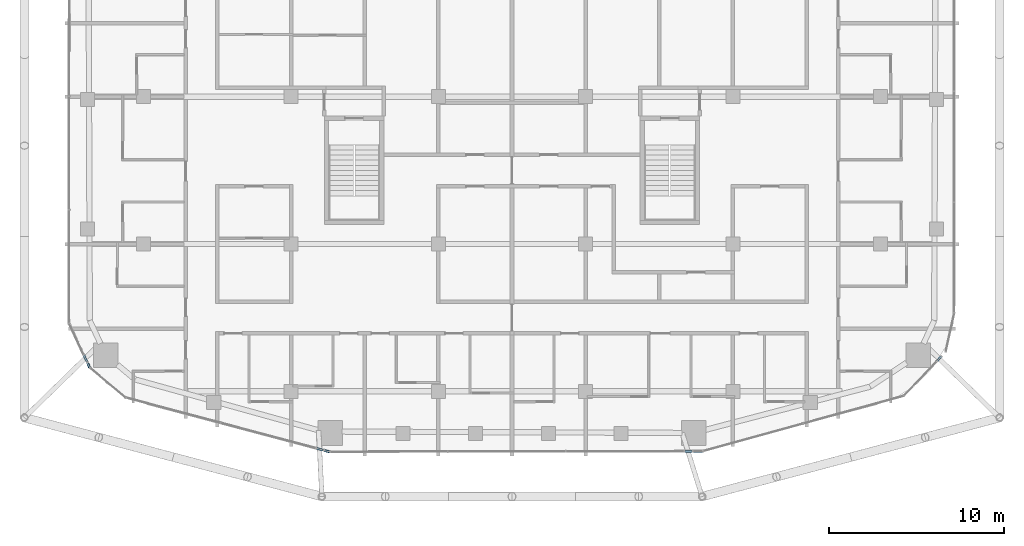
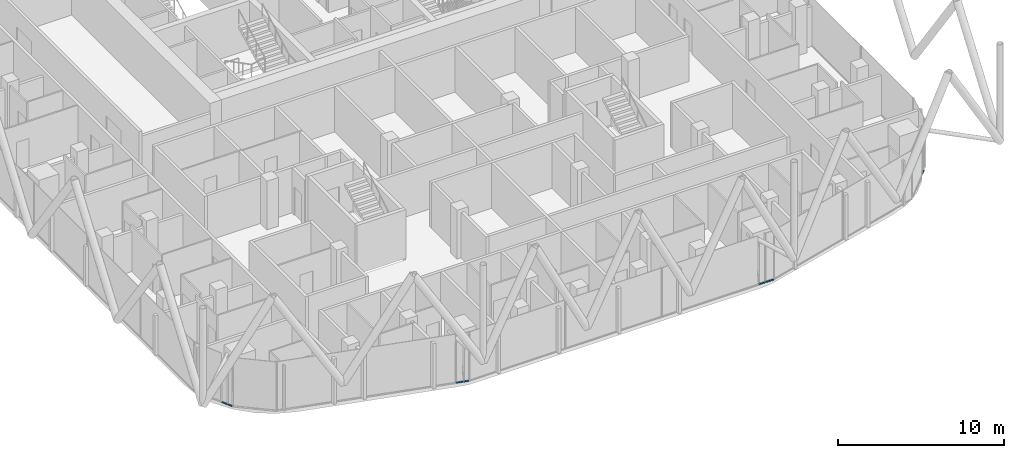
# One storey, part 12 of 28: 7 members, 7 elements without a shape of their own.
"""IFC4 building model written with IfcOpenShell, lengths in metres."""

from ifc_helpers import new_model, si_unit, direction, frame, origin, origin_2d, place, context, subcontext, project, spatial, rectangle, extrude, material, layer, layer_set, material_profile, profile_set, type_object, element, aggregate, save


model = new_model("IFC4")

# Units and contexts
model_context = context("Model", 3, precision=1e-05, world=origin(), true_north=direction((0.0, 1.0)))
body_context = subcontext(model_context, "Body", "Model", "MODEL_VIEW")
ifc_project = project(units=[si_unit("LENGTHUNIT", "METRE"), si_unit("AREAUNIT", "SQUARE_METRE"), si_unit("VOLUMEUNIT", "CUBIC_METRE"), si_unit("PLANEANGLEUNIT", "RADIAN"), si_unit("MASSUNIT", "GRAM", prefix="KILO")], contexts=[model_context])

# Site, building, storey
site_placement = place(None, origin())
site = spatial("IfcSite", under=ifc_project, at=site_placement, CompositionType="ELEMENT")
building_placement = place(site_placement, origin())
building = spatial("IfcBuilding", under=site, at=building_placement, Name="Marenta Gate Hotel Tower", CompositionType="ELEMENT")
storey_placement = place(building_placement, frame((0.0, 0.0, 212.89990234375)))
storey = spatial("IfcBuildingStorey", under=building, at=storey_placement, Name="L49", CompositionType="ELEMENT", Elevation=212.89990234375)

# Curtain wall, member
ifc_material_1 = material(Name="Tinted insulated glass in bronze anodised frame", Category="glass")
ifc_layer = layer(ifc_material_1, 0.1201171875)
ifc_layer_set = layer_set([ifc_layer], Name="Tinted insulated glass in bronze anodised frame")
curtain_wall_type = type_object("IfcCurtainWallType", Name="Tower unitised curtain wall CW1", PredefinedType="NOTDEFINED", material=ifc_layer_set)
curtain_wall_1_placement = place(storey_placement, origin())
curtain_wall_1 = element("IfcCurtainWall", 1, at=curtain_wall_1_placement, inside=storey, type_object=curtain_wall_type, Name="CW1 run G06", PredefinedType="NOTDEFINED")
ifc_material_2 = material(Name="Bronze anodised aluminium", Category="aluminium")
ifc_material_profile = material_profile(ifc_material_2, rectangle(XDim=0.1201171875, YDim=0.06005859375, at=origin_2d()), Name="Transom CW1 60x120 bronze anodised aluminium")
ifc_profile_set = profile_set([ifc_material_profile], Name="Bronze anodised aluminium")
member_type = type_object("IfcMemberType", Name="Transom CW1 60x120 bronze anodised aluminium", PredefinedType="USERDEFINED", material=ifc_profile_set)
member_1_placement = place(storey_placement, frame((-24.406005859375, -23.149169921875, 0.030029296875), z_axis=(0.42333108841, -0.905975049097, 0.0), x_axis=(0.905975049097, 0.42333108841, 0.0)))
member_1 = element("IfcMember", 2, at=member_1_placement, type_object=member_type, Name="CW1 transom 1.1", ObjectType="TRANSOM", PredefinedType="USERDEFINED", context=body_context, shape_type="SweptSolid", body=[
    extrude(rectangle(XDim=0.1201171875, YDim=0.06005859375, at=origin_2d()), origin(), (0.0, 0.0, 1.0), 0.419921875),
])
aggregate(curtain_wall_1, [member_1])

curtain_wall_2_placement = place(storey_placement, origin())
curtain_wall_2 = element("IfcCurtainWall", 3, at=curtain_wall_2_placement, inside=storey, type_object=curtain_wall_type, Name="CW1 run G07", PredefinedType="NOTDEFINED")
member_2_placement = place(storey_placement, frame((-24.202880859375, -23.583740234375, 0.030029296875), z_axis=(0.422602733719, -0.90631502771, 0.0), x_axis=(0.90631502771, 0.422602733719, 0.0)))
member_2 = element("IfcMember", 4, at=member_2_placement, type_object=member_type, Name="CW1 transom 1.1", ObjectType="TRANSOM", PredefinedType="USERDEFINED", context=body_context, shape_type="SweptSolid", body=[
    extrude(rectangle(XDim=0.1201171875, YDim=0.06005859375, at=origin_2d()), origin(), (0.0, 0.0, 1.0), 0.28369140625),
])
aggregate(curtain_wall_2, [member_2])

curtain_wall_3_placement = place(storey_placement, origin())
curtain_wall_3 = element("IfcCurtainWall", 5, at=curtain_wall_3_placement, inside=storey, type_object=curtain_wall_type, Name="CW1 run G10", PredefinedType="NOTDEFINED")
member_3_placement = place(storey_placement, frame((-11.14599609375, -28.450439453125, 0.030029296875), z_axis=(0.966371226399, -0.257151031083, 0.0), x_axis=(0.257151031083, 0.966371226399, 0.0)))
member_3 = element("IfcMember", 6, at=member_3_placement, type_object=member_type, Name="CW1 transom 1.1", ObjectType="TRANSOM", PredefinedType="USERDEFINED", context=body_context, shape_type="SweptSolid", body=[
    extrude(rectangle(XDim=0.1201171875, YDim=0.06005859375, at=origin_2d()), origin(), (0.0, 0.0, 1.0), 0.415771484375),
])
aggregate(curtain_wall_3, [member_3])

curtain_wall_4_placement = place(storey_placement, origin())
curtain_wall_4 = element("IfcCurtainWall", 7, at=curtain_wall_4_placement, inside=storey, type_object=curtain_wall_type, Name="CW1 run G11", PredefinedType="NOTDEFINED")
member_4_placement = place(storey_placement, frame((-10.686279296875, -28.57275390625, 0.030029296875), z_axis=(0.966262873917, -0.257557874058, 0.0), x_axis=(0.257557874058, 0.966262873917, 0.0)))
member_4 = element("IfcMember", 8, at=member_4_placement, type_object=member_type, Name="CW1 transom 1.1", ObjectType="TRANSOM", PredefinedType="USERDEFINED", context=body_context, shape_type="SweptSolid", body=[
    extrude(rectangle(XDim=0.1201171875, YDim=0.06005859375, at=origin_2d()), origin(), (0.0, 0.0, 1.0), 0.2900390625),
])
aggregate(curtain_wall_4, [member_4])

curtain_wall_5_placement = place(storey_placement, origin())
curtain_wall_5 = element("IfcCurtainWall", 9, at=curtain_wall_5_placement, inside=storey, type_object=curtain_wall_type, Name="CW1 run G13", PredefinedType="NOTDEFINED")
member_5_placement = place(storey_placement, frame((9.85498046875, -28.6142578125, 0.030029296875), z_axis=(0.9999984374, 0.001767822812, 0.0), x_axis=(-0.001767822812, 0.9999984374, 0.0)))
member_5 = element("IfcMember", 10, at=member_5_placement, type_object=member_type, Name="CW1 transom 1.1", ObjectType="TRANSOM", PredefinedType="USERDEFINED", context=body_context, shape_type="SweptSolid", body=[
    extrude(rectangle(XDim=0.1201171875, YDim=0.06005859375, at=origin_2d()), origin(), (0.0, 0.0, 1.0), 0.414306640625),
])
aggregate(curtain_wall_5, [member_5])

curtain_wall_6_placement = place(storey_placement, origin())
curtain_wall_6 = element("IfcCurtainWall", 11, at=curtain_wall_6_placement, inside=storey, type_object=curtain_wall_type, Name="CW1 run G14", PredefinedType="NOTDEFINED")
member_6_placement = place(storey_placement, frame((10.3291015625, -28.61328125, 0.030029296875), z_axis=(0.999999095908, 0.001344687265, 0.0), x_axis=(-0.001344687265, 0.999999095908, 0.0)))
member_6 = element("IfcMember", 12, at=member_6_placement, type_object=member_type, Name="CW1 transom 1.1", ObjectType="TRANSOM", PredefinedType="USERDEFINED", context=body_context, shape_type="SweptSolid", body=[
    extrude(rectangle(XDim=0.1201171875, YDim=0.06005859375, at=origin_2d()), origin(), (0.0, 0.0, 1.0), 0.544677734375),
])
aggregate(curtain_wall_6, [member_6])

curtain_wall_7_placement = place(storey_placement, origin())
curtain_wall_7 = element("IfcCurtainWall", 13, at=curtain_wall_7_placement, inside=storey, type_object=curtain_wall_type, Name="CW1 run G17", PredefinedType="NOTDEFINED")
member_7_placement = place(storey_placement, frame((24.244873046875, -23.461669921875, 0.030029296875), z_axis=(0.69228754022, 0.721621758026, 0.0), x_axis=(-0.721621758026, 0.69228754022, 0.0)))
member_7 = element("IfcMember", 14, at=member_7_placement, type_object=member_type, Name="CW1 transom 1.1", ObjectType="TRANSOM", PredefinedType="USERDEFINED", context=body_context, shape_type="SweptSolid", body=[
    extrude(rectangle(XDim=0.1201171875, YDim=0.06005859375, at=origin_2d()), origin(), (0.0, 0.0, 1.0), 0.3330078125),
])
aggregate(curtain_wall_7, [member_7])

save(model, "model.ifc")
